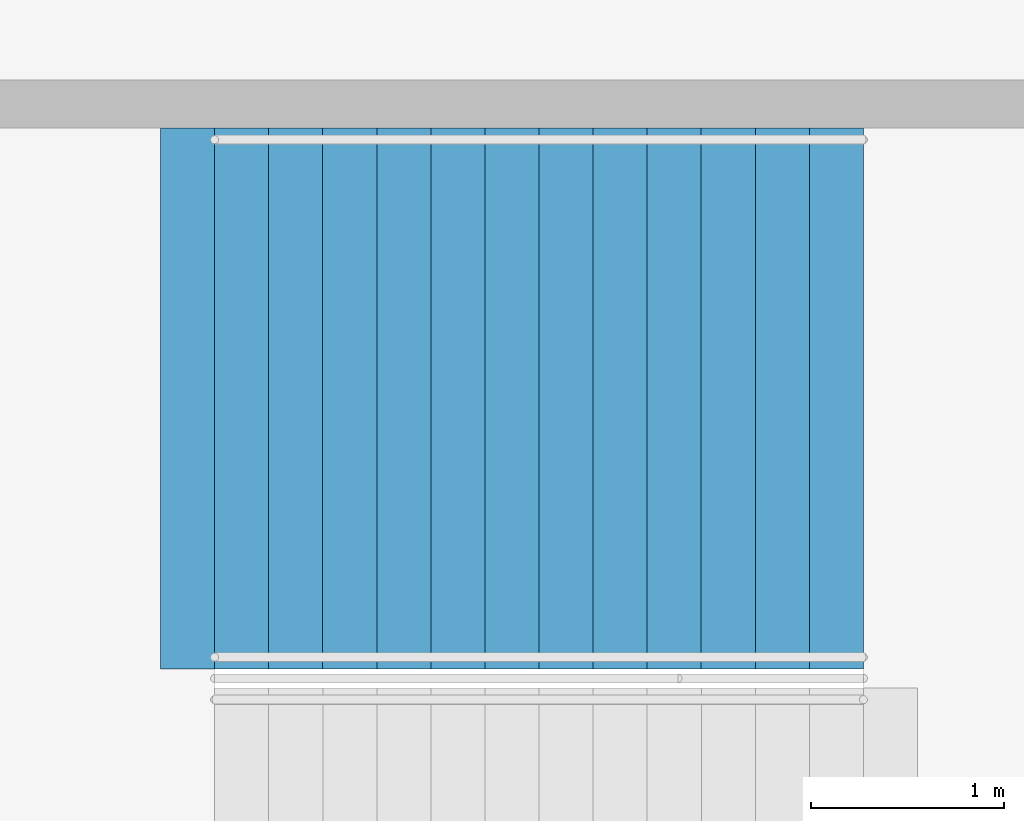
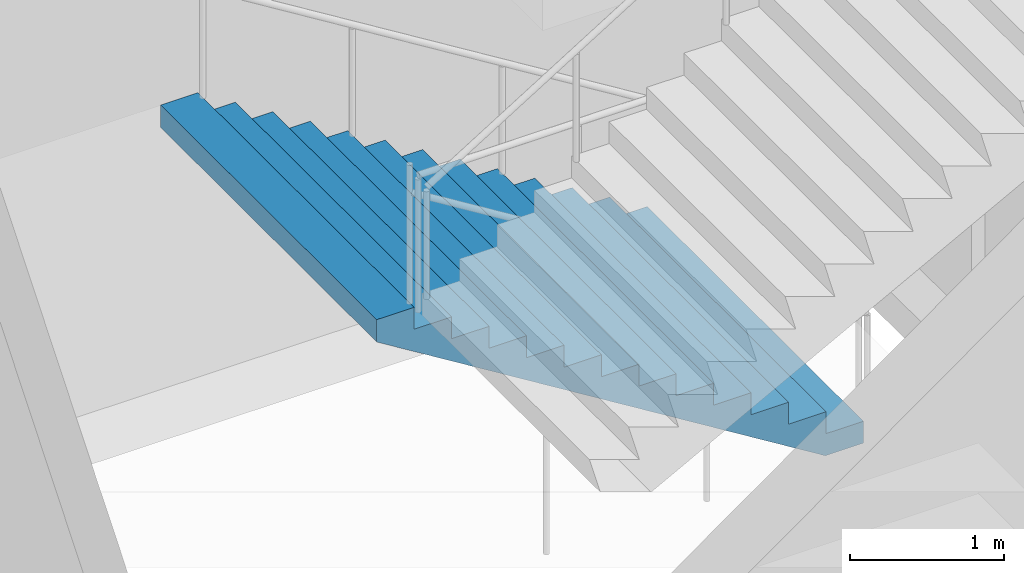
# One storey, part 129 of 199: 1 stair flight, 1 element without a shape of its own.
"""IFC4 building model written with IfcOpenShell, lengths in metres."""

from ifc_helpers import new_model, si_unit, direction, frame, origin, place, context, subcontext, project, spatial, faceted_brep, material, type_object, element, aggregate, save


model = new_model("IFC4")

# Units and contexts
model_context = context("Model", 3, precision=1e-05, world=origin(), true_north=direction((0.0, 1.0)))
body_context = subcontext(model_context, "Body", "Model", "MODEL_VIEW")
ifc_project = project(units=[si_unit("LENGTHUNIT", "METRE"), si_unit("AREAUNIT", "SQUARE_METRE"), si_unit("VOLUMEUNIT", "CUBIC_METRE"), si_unit("PLANEANGLEUNIT", "RADIAN"), si_unit("MASSUNIT", "GRAM", prefix="KILO")], contexts=[model_context])

# Site, building, storey
site_placement = place(None, origin())
site = spatial("IfcSite", under=ifc_project, at=site_placement, CompositionType="ELEMENT")
building_placement = place(site_placement, origin())
building = spatial("IfcBuilding", under=site, at=building_placement, Name="Ogive Plaza Stadium", CompositionType="ELEMENT")
storey_placement = place(building_placement, frame((0.0, 0.0, 4.5)))
storey = spatial("IfcBuildingStorey", under=building, at=storey_placement, Name="L01", CompositionType="ELEMENT", Elevation=4.5)

# Stair, stair flight
ifc_material_1 = material(Name="Concrete C40/50", Category="concrete")
stair_type = type_object("IfcStairType", Name="Exit stair", PredefinedType="STRAIGHT_RUN_STAIR", material=ifc_material_1)
stair_placement = place(storey_placement, origin())
stair = element("IfcStair", 1, at=stair_placement, inside=storey, type_object=stair_type, Name="Exit stair ST22A L01 to L02", PredefinedType="STRAIGHT_RUN_STAIR")
ifc_material_2 = material(Name="Concrete C40/50", Category="concrete")
stair_flight_type = type_object("IfcStairFlightType", Name="Exit stair flight", PredefinedType="STRAIGHT", material=ifc_material_2)
stair_flight_placement = place(storey_placement, frame((-76.35009765625, -33.074951171875, 0.0), z_axis=(0.0, 0.0, 1.0), x_axis=(-1.0, 0.0, 0.0)))
stair_flight = element("IfcStairFlight", 2, at=stair_flight_placement, type_object=stair_flight_type, Name="ST22A flight 1", NumberOfRisers=13, NumberOfTreads=12, PredefinedType="STRAIGHT", RiserHeight=0.173076923, TreadLength=0.28, context=body_context, shape_type="Brep", body=[
    faceted_brep([(0.28515625, -1.39990234375, 0.0), (3.639892578125, -1.39990234375, 2.07373046875), (3.639892578125, -1.39990234375, 2.25), (3.360107421875, -1.39990234375, 2.25), (3.360107421875, -1.39990234375, 2.076904296875), (3.080078125, -1.39990234375, 2.076904296875), (3.080078125, -1.39990234375, 1.90380859375), (2.800048828125, -1.39990234375, 1.90380859375), (2.800048828125, -1.39990234375, 1.730712890625), (2.52001953125, -1.39990234375, 1.730712890625), (2.52001953125, -1.39990234375, 1.5576171875), (2.239990234375, -1.39990234375, 1.5576171875), (2.239990234375, -1.39990234375, 1.384521484375), (1.9599609375, -1.39990234375, 1.384521484375), (1.9599609375, -1.39990234375, 1.21142578125), (1.679931640625, -1.39990234375, 1.21142578125), (1.679931640625, -1.39990234375, 1.03857421875), (1.39990234375, -1.39990234375, 1.03857421875), (1.39990234375, -1.39990234375, 0.865478515625), (1.1201171875, -1.39990234375, 0.865478515625), (1.1201171875, -1.39990234375, 0.6923828125), (0.840087890625, -1.39990234375, 0.6923828125), (0.840087890625, -1.39990234375, 0.519287109375), (0.56005859375, -1.39990234375, 0.519287109375), (0.56005859375, -1.39990234375, 0.34619140625), (0.280029296875, -1.39990234375, 0.34619140625), (0.280029296875, -1.39990234375, 0.173095703125), (0.0, -1.39990234375, 0.173095703125), (0.0, -1.39990234375, 0.0), (0.0, 1.39990234375, 0.0), (0.0, 1.39990234375, 0.173095703125), (0.280029296875, 1.39990234375, 0.173095703125), (0.280029296875, 1.39990234375, 0.34619140625), (0.56005859375, 1.39990234375, 0.34619140625), (0.56005859375, 1.39990234375, 0.519287109375), (0.840087890625, 1.39990234375, 0.519287109375), (0.840087890625, 1.39990234375, 0.6923828125), (1.1201171875, 1.39990234375, 0.6923828125), (1.1201171875, 1.39990234375, 0.865478515625), (1.39990234375, 1.39990234375, 0.865478515625), (1.39990234375, 1.39990234375, 1.03857421875), (1.679931640625, 1.39990234375, 1.03857421875), (1.679931640625, 1.39990234375, 1.21142578125), (1.9599609375, 1.39990234375, 1.21142578125), (1.9599609375, 1.39990234375, 1.384521484375), (2.239990234375, 1.39990234375, 1.384521484375), (2.239990234375, 1.39990234375, 1.5576171875), (2.52001953125, 1.39990234375, 1.5576171875), (2.52001953125, 1.39990234375, 1.730712890625), (2.800048828125, 1.39990234375, 1.730712890625), (2.800048828125, 1.39990234375, 1.90380859375), (3.080078125, 1.39990234375, 1.90380859375), (3.080078125, 1.39990234375, 2.076904296875), (3.360107421875, 1.39990234375, 2.076904296875), (3.360107421875, 1.39990234375, 2.25), (3.639892578125, 1.39990234375, 2.25), (3.639892578125, 1.39990234375, 2.07373046875), (0.28515625, 1.39990234375, 0.0), (0.28515625, -1.0888671875, 0.0), (3.639892578125, -1.0888671875, 2.07373046875), (0.28515625, -0.77783203125, 0.0), (3.639892578125, -0.77783203125, 2.07373046875), (0.28515625, -0.466796875, 0.0), (3.639892578125, -0.466796875, 2.07373046875), (0.28515625, -0.155517578125, 0.0), (3.639892578125, -0.155517578125, 2.07373046875), (0.28515625, 0.155517578125, 0.0), (3.639892578125, 0.155517578125, 2.07373046875), (0.28515625, 0.466796875, 0.0), (3.639892578125, 0.466796875, 2.07373046875), (0.28515625, 0.77783203125, 0.0), (3.639892578125, 0.77783203125, 2.07373046875), (0.28515625, 1.0888671875, 0.0), (3.639892578125, 1.0888671875, 2.07373046875), (3.639892578125, -1.0888671875, 2.25), (3.639892578125, -0.77783203125, 2.25), (3.639892578125, -0.466796875, 2.25), (3.639892578125, -0.155517578125, 2.25), (3.639892578125, 0.155517578125, 2.25), (3.639892578125, 0.466796875, 2.25), (3.639892578125, 0.77783203125, 2.25), (3.639892578125, 1.0888671875, 2.25), (3.360107421875, -1.0888671875, 2.25), (3.360107421875, -0.77783203125, 2.25), (3.360107421875, -0.466796875, 2.25), (3.360107421875, -0.155517578125, 2.25), (3.360107421875, 0.155517578125, 2.25), (3.360107421875, 0.466796875, 2.25), (3.360107421875, 0.77783203125, 2.25), (3.360107421875, 1.0888671875, 2.25), (3.360107421875, -1.0888671875, 2.076904296875), (3.360107421875, -0.77783203125, 2.076904296875), (3.360107421875, -0.466796875, 2.076904296875), (3.360107421875, -0.155517578125, 2.076904296875), (3.360107421875, 0.155517578125, 2.076904296875), (3.360107421875, 0.466796875, 2.076904296875), (3.360107421875, 0.77783203125, 2.076904296875), (3.360107421875, 1.0888671875, 2.076904296875), (3.080078125, -1.0888671875, 2.076904296875), (3.080078125, -0.77783203125, 2.076904296875), (3.080078125, -0.466796875, 2.076904296875), (3.080078125, -0.155517578125, 2.076904296875), (3.080078125, 0.155517578125, 2.076904296875), (3.080078125, 0.466796875, 2.076904296875), (3.080078125, 0.77783203125, 2.076904296875), (3.080078125, 1.0888671875, 2.076904296875), (3.080078125, -1.0888671875, 1.90380859375), (3.080078125, -0.77783203125, 1.90380859375), (3.080078125, -0.466796875, 1.90380859375), (3.080078125, -0.155517578125, 1.90380859375), (3.080078125, 0.155517578125, 1.90380859375), (3.080078125, 0.466796875, 1.90380859375), (3.080078125, 0.77783203125, 1.90380859375), (3.080078125, 1.0888671875, 1.90380859375), (2.800048828125, -1.0888671875, 1.90380859375), (2.800048828125, -0.77783203125, 1.90380859375), (2.800048828125, -0.466796875, 1.90380859375), (2.800048828125, -0.155517578125, 1.90380859375), (2.800048828125, 0.155517578125, 1.90380859375), (2.800048828125, 0.466796875, 1.90380859375), (2.800048828125, 0.77783203125, 1.90380859375), (2.800048828125, 1.0888671875, 1.90380859375), (2.800048828125, -1.0888671875, 1.730712890625), (2.800048828125, -0.77783203125, 1.730712890625), (2.800048828125, -0.466796875, 1.730712890625), (2.800048828125, -0.155517578125, 1.730712890625), (2.800048828125, 0.155517578125, 1.730712890625), (2.800048828125, 0.466796875, 1.730712890625), (2.800048828125, 0.77783203125, 1.730712890625), (2.800048828125, 1.0888671875, 1.730712890625), (2.52001953125, -1.0888671875, 1.730712890625), (2.52001953125, -0.77783203125, 1.730712890625), (2.52001953125, -0.466796875, 1.730712890625), (2.52001953125, -0.155517578125, 1.730712890625), (2.52001953125, 0.155517578125, 1.730712890625), (2.52001953125, 0.466796875, 1.730712890625), (2.52001953125, 0.77783203125, 1.730712890625), (2.52001953125, 1.0888671875, 1.730712890625), (2.52001953125, -1.0888671875, 1.5576171875), (2.52001953125, -0.77783203125, 1.5576171875), (2.52001953125, -0.466796875, 1.5576171875), (2.52001953125, -0.155517578125, 1.5576171875), (2.52001953125, 0.155517578125, 1.5576171875), (2.52001953125, 0.466796875, 1.5576171875), (2.52001953125, 0.77783203125, 1.5576171875), (2.52001953125, 1.0888671875, 1.5576171875), (2.239990234375, -1.0888671875, 1.5576171875), (2.239990234375, -0.77783203125, 1.5576171875), (2.239990234375, -0.466796875, 1.5576171875), (2.239990234375, -0.155517578125, 1.5576171875), (2.239990234375, 0.155517578125, 1.5576171875), (2.239990234375, 0.466796875, 1.5576171875), (2.239990234375, 0.77783203125, 1.5576171875), (2.239990234375, 1.0888671875, 1.5576171875), (2.239990234375, -1.0888671875, 1.384521484375), (2.239990234375, -0.77783203125, 1.384521484375), (2.239990234375, -0.466796875, 1.384521484375), (2.239990234375, -0.155517578125, 1.384521484375), (2.239990234375, 0.155517578125, 1.384521484375), (2.239990234375, 0.466796875, 1.384521484375), (2.239990234375, 0.77783203125, 1.384521484375), (2.239990234375, 1.0888671875, 1.384521484375), (1.9599609375, -1.0888671875, 1.384521484375), (1.9599609375, -0.77783203125, 1.384521484375), (1.9599609375, -0.466796875, 1.384521484375), (1.9599609375, -0.155517578125, 1.384521484375), (1.9599609375, 0.155517578125, 1.384521484375), (1.9599609375, 0.466796875, 1.384521484375), (1.9599609375, 0.77783203125, 1.384521484375), (1.9599609375, 1.0888671875, 1.384521484375), (1.9599609375, -1.0888671875, 1.21142578125), (1.9599609375, -0.77783203125, 1.21142578125), (1.9599609375, -0.466796875, 1.21142578125), (1.9599609375, -0.155517578125, 1.21142578125), (1.9599609375, 0.155517578125, 1.21142578125), (1.9599609375, 0.466796875, 1.21142578125), (1.9599609375, 0.77783203125, 1.21142578125), (1.9599609375, 1.0888671875, 1.21142578125), (1.679931640625, -1.0888671875, 1.21142578125), (1.679931640625, -0.77783203125, 1.21142578125), (1.679931640625, -0.466796875, 1.21142578125), (1.679931640625, -0.155517578125, 1.21142578125), (1.679931640625, 0.155517578125, 1.21142578125), (1.679931640625, 0.466796875, 1.21142578125), (1.679931640625, 0.77783203125, 1.21142578125), (1.679931640625, 1.0888671875, 1.21142578125), (1.679931640625, -1.0888671875, 1.03857421875), (1.679931640625, -0.77783203125, 1.03857421875), (1.679931640625, -0.466796875, 1.03857421875), (1.679931640625, -0.155517578125, 1.03857421875), (1.679931640625, 0.155517578125, 1.03857421875), (1.679931640625, 0.466796875, 1.03857421875), (1.679931640625, 0.77783203125, 1.03857421875), (1.679931640625, 1.0888671875, 1.03857421875), (1.39990234375, -1.0888671875, 1.03857421875), (1.39990234375, -0.77783203125, 1.03857421875), (1.39990234375, -0.466796875, 1.03857421875), (1.39990234375, -0.155517578125, 1.03857421875), (1.39990234375, 0.155517578125, 1.03857421875), (1.39990234375, 0.466796875, 1.03857421875), (1.39990234375, 0.77783203125, 1.03857421875), (1.39990234375, 1.0888671875, 1.03857421875), (1.39990234375, -1.0888671875, 0.865478515625), (1.39990234375, -0.77783203125, 0.865478515625), (1.39990234375, -0.466796875, 0.865478515625), (1.39990234375, -0.155517578125, 0.865478515625), (1.39990234375, 0.155517578125, 0.865478515625), (1.39990234375, 0.466796875, 0.865478515625), (1.39990234375, 0.77783203125, 0.865478515625), (1.39990234375, 1.0888671875, 0.865478515625), (1.1201171875, -1.0888671875, 0.865478515625), (1.1201171875, -0.77783203125, 0.865478515625), (1.1201171875, -0.466796875, 0.865478515625), (1.1201171875, -0.155517578125, 0.865478515625), (1.1201171875, 0.155517578125, 0.865478515625), (1.1201171875, 0.466796875, 0.865478515625), (1.1201171875, 0.77783203125, 0.865478515625), (1.1201171875, 1.0888671875, 0.865478515625), (1.1201171875, -1.0888671875, 0.6923828125), (1.1201171875, -0.77783203125, 0.6923828125), (1.1201171875, -0.466796875, 0.6923828125), (1.1201171875, -0.155517578125, 0.6923828125), (1.1201171875, 0.155517578125, 0.6923828125), (1.1201171875, 0.466796875, 0.6923828125), (1.1201171875, 0.77783203125, 0.6923828125), (1.1201171875, 1.0888671875, 0.6923828125), (0.840087890625, -1.0888671875, 0.6923828125), (0.840087890625, -0.77783203125, 0.6923828125), (0.840087890625, -0.466796875, 0.6923828125), (0.840087890625, -0.155517578125, 0.6923828125), (0.840087890625, 0.155517578125, 0.6923828125), (0.840087890625, 0.466796875, 0.6923828125), (0.840087890625, 0.77783203125, 0.6923828125), (0.840087890625, 1.0888671875, 0.6923828125), (0.840087890625, -1.0888671875, 0.519287109375), (0.840087890625, -0.77783203125, 0.519287109375), (0.840087890625, -0.466796875, 0.519287109375), (0.840087890625, -0.155517578125, 0.519287109375), (0.840087890625, 0.155517578125, 0.519287109375), (0.840087890625, 0.466796875, 0.519287109375), (0.840087890625, 0.77783203125, 0.519287109375), (0.840087890625, 1.0888671875, 0.519287109375), (0.56005859375, -1.0888671875, 0.519287109375), (0.56005859375, -0.77783203125, 0.519287109375), (0.56005859375, -0.466796875, 0.519287109375), (0.56005859375, -0.155517578125, 0.519287109375), (0.56005859375, 0.155517578125, 0.519287109375), (0.56005859375, 0.466796875, 0.519287109375), (0.56005859375, 0.77783203125, 0.519287109375), (0.56005859375, 1.0888671875, 0.519287109375), (0.56005859375, -1.0888671875, 0.34619140625), (0.56005859375, -0.77783203125, 0.34619140625), (0.56005859375, -0.466796875, 0.34619140625), (0.56005859375, -0.155517578125, 0.34619140625), (0.56005859375, 0.155517578125, 0.34619140625), (0.56005859375, 0.466796875, 0.34619140625), (0.56005859375, 0.77783203125, 0.34619140625), (0.56005859375, 1.0888671875, 0.34619140625), (0.280029296875, -1.0888671875, 0.34619140625), (0.280029296875, -0.77783203125, 0.34619140625), (0.280029296875, -0.466796875, 0.34619140625), (0.280029296875, -0.155517578125, 0.34619140625), (0.280029296875, 0.155517578125, 0.34619140625), (0.280029296875, 0.466796875, 0.34619140625), (0.280029296875, 0.77783203125, 0.34619140625), (0.280029296875, 1.0888671875, 0.34619140625), (0.280029296875, -1.0888671875, 0.173095703125), (0.280029296875, -0.77783203125, 0.173095703125), (0.280029296875, -0.466796875, 0.173095703125), (0.280029296875, -0.155517578125, 0.173095703125), (0.280029296875, 0.155517578125, 0.173095703125), (0.280029296875, 0.466796875, 0.173095703125), (0.280029296875, 0.77783203125, 0.173095703125), (0.280029296875, 1.0888671875, 0.173095703125), (0.0, -1.0888671875, 0.173095703125), (0.0, -0.77783203125, 0.173095703125), (0.0, -0.466796875, 0.173095703125), (0.0, -0.155517578125, 0.173095703125), (0.0, 0.155517578125, 0.173095703125), (0.0, 0.466796875, 0.173095703125), (0.0, 0.77783203125, 0.173095703125), (0.0, 1.0888671875, 0.173095703125), (0.0, -1.0888671875, 0.0), (0.0, -0.77783203125, 0.0), (0.0, -0.466796875, 0.0), (0.0, -0.155517578125, 0.0), (0.0, 0.155517578125, 0.0), (0.0, 0.466796875, 0.0), (0.0, 0.77783203125, 0.0), (0.0, 1.0888671875, 0.0)], [[[0, 1, 2, 3, 4, 5, 6, 7, 8, 9, 10, 11, 12, 13, 14, 15, 16, 17, 18, 19, 20, 21, 22, 23, 24, 25, 26, 27, 28]], [[29, 30, 31, 32, 33, 34, 35, 36, 37, 38, 39, 40, 41, 42, 43, 44, 45, 46, 47, 48, 49, 50, 51, 52, 53, 54, 55, 56, 57]], [[0, 58, 59, 1]], [[58, 60, 61, 59]], [[60, 62, 63, 61]], [[62, 64, 65, 63]], [[64, 66, 67, 65]], [[66, 68, 69, 67]], [[68, 70, 71, 69]], [[70, 72, 73, 71]], [[72, 57, 56, 73]], [[1, 59, 74, 2]], [[59, 61, 75, 74]], [[61, 63, 76, 75]], [[63, 65, 77, 76]], [[65, 67, 78, 77]], [[67, 69, 79, 78]], [[69, 71, 80, 79]], [[71, 73, 81, 80]], [[73, 56, 55, 81]], [[2, 74, 82, 3]], [[74, 75, 83, 82]], [[75, 76, 84, 83]], [[76, 77, 85, 84]], [[77, 78, 86, 85]], [[78, 79, 87, 86]], [[79, 80, 88, 87]], [[80, 81, 89, 88]], [[81, 55, 54, 89]], [[3, 82, 90, 4]], [[82, 83, 91, 90]], [[83, 84, 92, 91]], [[84, 85, 93, 92]], [[85, 86, 94, 93]], [[86, 87, 95, 94]], [[87, 88, 96, 95]], [[88, 89, 97, 96]], [[89, 54, 53, 97]], [[4, 90, 98, 5]], [[90, 91, 99, 98]], [[91, 92, 100, 99]], [[92, 93, 101, 100]], [[93, 94, 102, 101]], [[94, 95, 103, 102]], [[95, 96, 104, 103]], [[96, 97, 105, 104]], [[97, 53, 52, 105]], [[5, 98, 106, 6]], [[98, 99, 107, 106]], [[99, 100, 108, 107]], [[100, 101, 109, 108]], [[101, 102, 110, 109]], [[102, 103, 111, 110]], [[103, 104, 112, 111]], [[104, 105, 113, 112]], [[105, 52, 51, 113]], [[6, 106, 114, 7]], [[106, 107, 115, 114]], [[107, 108, 116, 115]], [[108, 109, 117, 116]], [[109, 110, 118, 117]], [[110, 111, 119, 118]], [[111, 112, 120, 119]], [[112, 113, 121, 120]], [[113, 51, 50, 121]], [[7, 114, 122, 8]], [[114, 115, 123, 122]], [[115, 116, 124, 123]], [[116, 117, 125, 124]], [[117, 118, 126, 125]], [[118, 119, 127, 126]], [[119, 120, 128, 127]], [[120, 121, 129, 128]], [[121, 50, 49, 129]], [[8, 122, 130, 9]], [[122, 123, 131, 130]], [[123, 124, 132, 131]], [[124, 125, 133, 132]], [[125, 126, 134, 133]], [[126, 127, 135, 134]], [[127, 128, 136, 135]], [[128, 129, 137, 136]], [[129, 49, 48, 137]], [[9, 130, 138, 10]], [[130, 131, 139, 138]], [[131, 132, 140, 139]], [[132, 133, 141, 140]], [[133, 134, 142, 141]], [[134, 135, 143, 142]], [[135, 136, 144, 143]], [[136, 137, 145, 144]], [[137, 48, 47, 145]], [[10, 138, 146, 11]], [[138, 139, 147, 146]], [[139, 140, 148, 147]], [[140, 141, 149, 148]], [[141, 142, 150, 149]], [[142, 143, 151, 150]], [[143, 144, 152, 151]], [[144, 145, 153, 152]], [[145, 47, 46, 153]], [[11, 146, 154, 12]], [[146, 147, 155, 154]], [[147, 148, 156, 155]], [[148, 149, 157, 156]], [[149, 150, 158, 157]], [[150, 151, 159, 158]], [[151, 152, 160, 159]], [[152, 153, 161, 160]], [[153, 46, 45, 161]], [[12, 154, 162, 13]], [[154, 155, 163, 162]], [[155, 156, 164, 163]], [[156, 157, 165, 164]], [[157, 158, 166, 165]], [[158, 159, 167, 166]], [[159, 160, 168, 167]], [[160, 161, 169, 168]], [[161, 45, 44, 169]], [[13, 162, 170, 14]], [[162, 163, 171, 170]], [[163, 164, 172, 171]], [[164, 165, 173, 172]], [[165, 166, 174, 173]], [[166, 167, 175, 174]], [[167, 168, 176, 175]], [[168, 169, 177, 176]], [[169, 44, 43, 177]], [[14, 170, 178, 15]], [[170, 171, 179, 178]], [[171, 172, 180, 179]], [[172, 173, 181, 180]], [[173, 174, 182, 181]], [[174, 175, 183, 182]], [[175, 176, 184, 183]], [[176, 177, 185, 184]], [[177, 43, 42, 185]], [[15, 178, 186, 16]], [[178, 179, 187, 186]], [[179, 180, 188, 187]], [[180, 181, 189, 188]], [[181, 182, 190, 189]], [[182, 183, 191, 190]], [[183, 184, 192, 191]], [[184, 185, 193, 192]], [[185, 42, 41, 193]], [[16, 186, 194, 17]], [[186, 187, 195, 194]], [[187, 188, 196, 195]], [[188, 189, 197, 196]], [[189, 190, 198, 197]], [[190, 191, 199, 198]], [[191, 192, 200, 199]], [[192, 193, 201, 200]], [[193, 41, 40, 201]], [[17, 194, 202, 18]], [[194, 195, 203, 202]], [[195, 196, 204, 203]], [[196, 197, 205, 204]], [[197, 198, 206, 205]], [[198, 199, 207, 206]], [[199, 200, 208, 207]], [[200, 201, 209, 208]], [[201, 40, 39, 209]], [[18, 202, 210, 19]], [[202, 203, 211, 210]], [[203, 204, 212, 211]], [[204, 205, 213, 212]], [[205, 206, 214, 213]], [[206, 207, 215, 214]], [[207, 208, 216, 215]], [[208, 209, 217, 216]], [[209, 39, 38, 217]], [[19, 210, 218, 20]], [[210, 211, 219, 218]], [[211, 212, 220, 219]], [[212, 213, 221, 220]], [[213, 214, 222, 221]], [[214, 215, 223, 222]], [[215, 216, 224, 223]], [[216, 217, 225, 224]], [[217, 38, 37, 225]], [[20, 218, 226, 21]], [[218, 219, 227, 226]], [[219, 220, 228, 227]], [[220, 221, 229, 228]], [[221, 222, 230, 229]], [[222, 223, 231, 230]], [[223, 224, 232, 231]], [[224, 225, 233, 232]], [[225, 37, 36, 233]], [[21, 226, 234, 22]], [[226, 227, 235, 234]], [[227, 228, 236, 235]], [[228, 229, 237, 236]], [[229, 230, 238, 237]], [[230, 231, 239, 238]], [[231, 232, 240, 239]], [[232, 233, 241, 240]], [[233, 36, 35, 241]], [[22, 234, 242, 23]], [[234, 235, 243, 242]], [[235, 236, 244, 243]], [[236, 237, 245, 244]], [[237, 238, 246, 245]], [[238, 239, 247, 246]], [[239, 240, 248, 247]], [[240, 241, 249, 248]], [[241, 35, 34, 249]], [[23, 242, 250, 24]], [[242, 243, 251, 250]], [[243, 244, 252, 251]], [[244, 245, 253, 252]], [[245, 246, 254, 253]], [[246, 247, 255, 254]], [[247, 248, 256, 255]], [[248, 249, 257, 256]], [[249, 34, 33, 257]], [[24, 250, 258, 25]], [[250, 251, 259, 258]], [[251, 252, 260, 259]], [[252, 253, 261, 260]], [[253, 254, 262, 261]], [[254, 255, 263, 262]], [[255, 256, 264, 263]], [[256, 257, 265, 264]], [[257, 33, 32, 265]], [[25, 258, 266, 26]], [[258, 259, 267, 266]], [[259, 260, 268, 267]], [[260, 261, 269, 268]], [[261, 262, 270, 269]], [[262, 263, 271, 270]], [[263, 264, 272, 271]], [[264, 265, 273, 272]], [[265, 32, 31, 273]], [[26, 266, 274, 27]], [[266, 267, 275, 274]], [[267, 268, 276, 275]], [[268, 269, 277, 276]], [[269, 270, 278, 277]], [[270, 271, 279, 278]], [[271, 272, 280, 279]], [[272, 273, 281, 280]], [[273, 31, 30, 281]], [[27, 274, 282, 28]], [[274, 275, 283, 282]], [[275, 276, 284, 283]], [[276, 277, 285, 284]], [[277, 278, 286, 285]], [[278, 279, 287, 286]], [[279, 280, 288, 287]], [[280, 281, 289, 288]], [[281, 30, 29, 289]], [[28, 282, 58, 0]], [[282, 283, 60, 58]], [[283, 284, 62, 60]], [[284, 285, 64, 62]], [[285, 286, 66, 64]], [[286, 287, 68, 66]], [[287, 288, 70, 68]], [[288, 289, 72, 70]], [[289, 29, 57, 72]]]),
])
aggregate(stair, [stair_flight])

save(model, "model.ifc")
